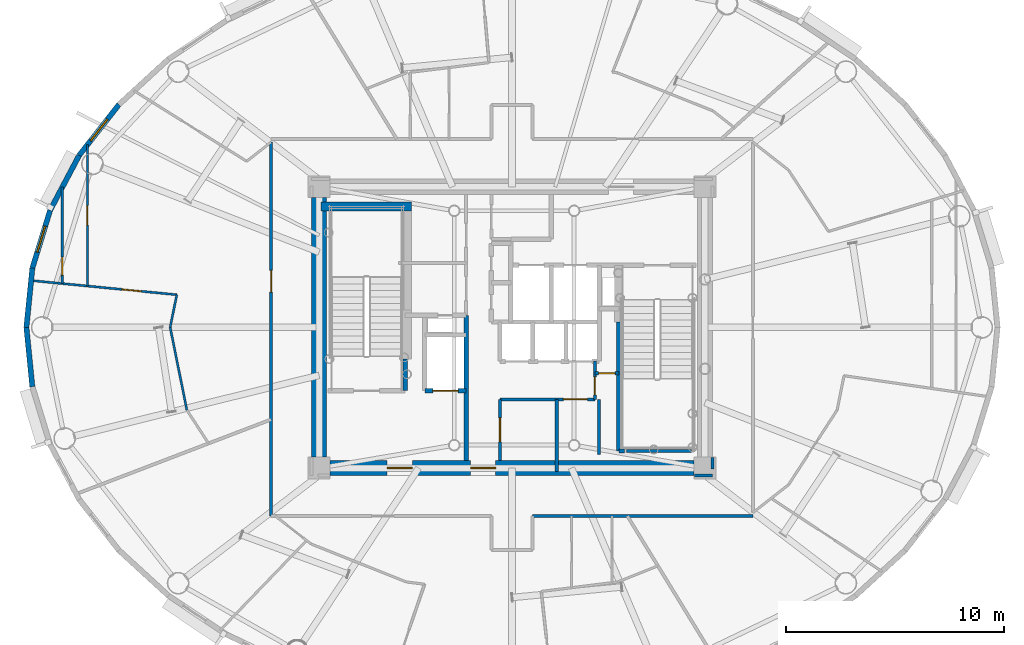
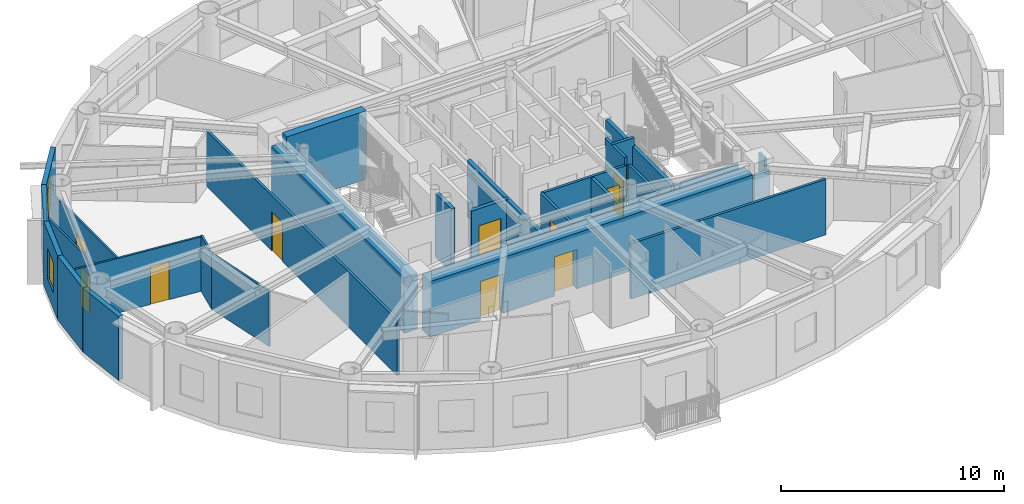
# One storey, part 8 of 20: 29 walls, 11 doors, 2 windows, 13 openings.
"""IFC4 building model written with IfcOpenShell, lengths in metres."""

from ifc_helpers import new_model, si_unit, direction, frame, frame_2d, origin, origin_2d, place, context, subcontext, project, spatial, rectangle, extrude, source, transform, mapped, material, layer, layer_set, type_object, element, fill, save


model = new_model("IFC4")

# Units and contexts
model_context = context("Model", 3, precision=1e-05, world=origin(), true_north=direction((0.0, 1.0)))
body_context = subcontext(model_context, "Body", "Model", "MODEL_VIEW")
ifc_project = project(units=[si_unit("LENGTHUNIT", "METRE"), si_unit("AREAUNIT", "SQUARE_METRE"), si_unit("VOLUMEUNIT", "CUBIC_METRE"), si_unit("PLANEANGLEUNIT", "RADIAN"), si_unit("MASSUNIT", "GRAM", prefix="KILO")], contexts=[model_context])

# Site, building, storey
site_placement = place(None, origin())
site = spatial("IfcSite", under=ifc_project, at=site_placement, CompositionType="ELEMENT")
building_placement = place(site_placement, origin())
building = spatial("IfcBuilding", under=site, at=building_placement, Name="Linh Dai School and Residence Tower", CompositionType="ELEMENT")
storey_placement = place(building_placement, frame((0.0, 0.0, 288.0)))
storey = spatial("IfcBuildingStorey", under=building, at=storey_placement, Name="L71", CompositionType="ELEMENT", Elevation=288.0)

# Wall, opening, window
ifc_material_1 = material(Name="Precast Concrete B45 (C35/45)", Category="concrete")
ifc_layer_1 = layer(ifc_material_1, 0.239990234375)
ifc_layer_set_1 = layer_set([ifc_layer_1], Name="Precast Concrete B45 (C35/45)")
wall_type_1 = type_object("IfcWallType", Name="EW-TC-240", PredefinedType="SOLIDWALL", material=ifc_layer_set_1)
wall_1_placement = place(storey_placement, frame((16.146240234375, 34.894775390625, 0.0), z_axis=(0.0, 0.0, 1.0), x_axis=(0.616337186556, 0.787482363275, 0.0)))
wall_1 = element("IfcWall", 1, at=wall_1_placement, inside=storey, type_object=wall_type_1, Name="L71 Terracotta Exterior Wall 17", PredefinedType="SOLIDWALL", context=body_context, shape_type="SweptSolid", body=[
    extrude(rectangle(XDim=2.95849609375, YDim=0.239990234375, at=frame_2d((1.479248046875, 0.0))), origin(), (0.0, 0.0, 1.0), 3.5),
])
opening_1_placement = place(wall_1_placement, frame((0.854248046875, 0.0, 0.89990234375)))
opening_1 = element("IfcOpeningElement", 2, at=opening_1_placement, cuts=wall_1, Name="Opening W3", PredefinedType="OPENING", context=body_context, shape_type="SweptSolid", body=[
    extrude(rectangle(XDim=1.25, YDim=1.64990234375, at=origin_2d()), frame((0.625, 0.1298828125, 0.824951171875), z_axis=(0.0, -1.0, 0.0), x_axis=(1.0, 0.0, 0.0)), (0.0, 0.0, 1.0), 0.260009765625),
])
ifc_material_2 = material(Name="Double Low-E Insulated Glazing", Category="glass")
window_type = type_object("IfcWindowType", Name="WN-RES-1250x1650", PartitioningType="SINGLE_PANEL", PredefinedType="WINDOW", material=ifc_material_2)
shared_shape_1 = source(origin(), body_context, "Body", "SweptSolid", [
    extrude(rectangle(XDim=1.25, YDim=1.64990234375, at=origin_2d()), frame((0.625, 0.030029296875, 0.824951171875), z_axis=(0.0, -1.0, 0.0), x_axis=(1.0, 0.0, 0.0)), (0.0, 0.0, 1.0), 0.06005859375),
])
window_1_placement = place(opening_1_placement, origin())
window_1 = element("IfcWindow", 3, at=window_1_placement, inside=storey, type_object=window_type, Name="L71 Dwelling Window U7102-LIV", OverallHeight=1.64990234375, OverallWidth=1.25, PartitioningType="SINGLE_PANEL", PredefinedType="WINDOW", context=body_context, shape_type="MappedRepresentation", body=[
    mapped(shared_shape_1, transform((0.0, 0.0, 0.0), x_axis=(1.0, 0.0, 0.0), y_axis=(0.0, 1.0, 0.0), z_axis=(0.0, 0.0, 1.0), scale=1.0)),
])
fill(opening_1, window_1)

# Wall
wall_2_placement = place(storey_placement, frame((14.811767578125, 32.372314453125, 0.0), z_axis=(0.0, 0.0, 1.0), x_axis=(0.467628269026, 0.883925224218, 0.0)))
element("IfcWall", 4, at=wall_2_placement, inside=storey, type_object=wall_type_1, Name="L71 Terracotta Exterior Wall 18", PredefinedType="SOLIDWALL", context=body_context, shape_type="SweptSolid", body=[
    extrude(rectangle(XDim=2.853759765625, YDim=0.239990234375, at=frame_2d((1.4267578125, 0.0))), origin(), (0.0, 0.0, 1.0), 3.5),
])

# Wall, opening, window
wall_3_placement = place(storey_placement, frame((13.998291015625, 29.718994140625, 0.0), z_axis=(0.0, 0.0, 1.0), x_axis=(0.2931213403, 0.956075248012, 0.0)))
wall_3 = element("IfcWall", 5, at=wall_3_placement, inside=storey, type_object=wall_type_1, Name="L71 Terracotta Exterior Wall 19", PredefinedType="SOLIDWALL", context=body_context, shape_type="SweptSolid", body=[
    extrude(rectangle(XDim=2.775146484375, YDim=0.239990234375, at=frame_2d((1.3876953125, 0.0))), origin(), (0.0, 0.0, 1.0), 3.5),
])
opening_2_placement = place(wall_3_placement, frame((0.7626953125, 0.0, 0.89990234375)))
opening_2 = element("IfcOpeningElement", 6, at=opening_2_placement, cuts=wall_3, Name="Opening W3", PredefinedType="OPENING", context=body_context, shape_type="SweptSolid", body=[
    extrude(rectangle(XDim=1.25, YDim=1.64990234375, at=origin_2d()), frame((0.625, 0.1298828125, 0.824951171875), z_axis=(0.0, -1.0, 0.0), x_axis=(1.0, 0.0, 0.0)), (0.0, 0.0, 1.0), 0.260009765625),
])
window_2_placement = place(opening_2_placement, origin())
window_2 = element("IfcWindow", 7, at=window_2_placement, inside=storey, type_object=window_type, Name="L71 Exterior Window 19.1", OverallHeight=1.64990234375, OverallWidth=1.25, PartitioningType="SINGLE_PANEL", PredefinedType="WINDOW", context=body_context, shape_type="MappedRepresentation", body=[
    mapped(shared_shape_1, transform((0.0, 0.0, 0.0), x_axis=(1.0, 0.0, 0.0), y_axis=(0.0, 1.0, 0.0), z_axis=(0.0, 0.0, 1.0), scale=1.0)),
])
fill(opening_2, window_2)

# Walls
for number, where, z_axis, x_axis, name in (
    (8, (13.72509765625, 27.0, 0.0), (0.0, 0.0, 1.0), (0.099972526841, 0.99499019788, 0.0), "L71 Terracotta Exterior Wall 20"),
    (9, (13.998291015625, 24.281005859375, 0.0), (0.0, 0.0, 1.0), (-0.099972526841, 0.99499019788, 0.0), "L71 Terracotta Exterior Wall 21"),
):
    element("IfcWall", number, at=place(storey_placement, frame(where, z_axis=z_axis, x_axis=x_axis)), inside=storey, type_object=wall_type_1, Name=name, PredefinedType="SOLIDWALL", context=body_context, shape_type="SweptSolid", body=[
        extrude(rectangle(XDim=2.732666015625, YDim=0.239990234375, at=frame_2d((1.3662109375, 0.0))), origin(), (0.0, 0.0, 1.0), 3.5),
    ])

# Wall, opening, door
ifc_material_3 = material(Name="Autoclaved Aerated Concrete Blockwork", Category="masonry")
ifc_layer_2 = layer(ifc_material_3, 0.135009765625)
ifc_layer_set_2 = layer_set([ifc_layer_2], Name="Autoclaved Aerated Concrete Blockwork")
wall_type_2 = type_object("IfcWallType", Name="IW-CORR-135-EI90", PredefinedType="PARTITIONING", material=ifc_layer_set_2)
wall_4_placement = place(storey_placement, frame((24.949951171875, 18.35009765625, 0.0), z_axis=(0.0, 0.0, 1.0), x_axis=(0.0, 1.0, 0.0)))
wall_4 = element("IfcWall", 10, at=wall_4_placement, inside=storey, type_object=wall_type_2, Name="L71 Interior Partition Wall 011", PredefinedType="PARTITIONING", context=body_context, shape_type="SweptSolid", body=[
    extrude(rectangle(XDim=17.147216796875, YDim=0.135009765625, at=frame_2d((8.57373046875, 0.0))), origin(), (0.0, 0.0, 1.0), 3.034912109375),
])
opening_3_placement = place(wall_4_placement, frame((10.266845703125, 0.0, 0.0)))
opening_3 = element("IfcOpeningElement", 11, at=opening_3_placement, cuts=wall_4, Name="Opening D03", PredefinedType="OPENING", context=body_context, shape_type="SweptSolid", body=[
    extrude(rectangle(XDim=1.0, YDim=2.14990234375, at=origin_2d()), frame((0.5, 0.07763671875, 1.074951171875), z_axis=(0.0, -1.0, 0.0), x_axis=(1.0, 0.0, 0.0)), (0.0, 0.0, 1.0), 0.155029296875),
])
ifc_material_4 = material(Name="Fire-Rated Solid Timber Entrance Door", Category="wood")
door_type_1 = type_object("IfcDoorType", Name="DR-FLAT-1000x2150-FD60S", OperationType="NOTDEFINED", PredefinedType="DOOR", material=ifc_material_4)
shared_shape_2 = source(origin(), body_context, "Body", "SweptSolid", [
    extrude(rectangle(XDim=1.0, YDim=2.14990234375, at=origin_2d()), frame((0.5, 0.02490234375, 1.074951171875), z_axis=(0.0, -1.0, 0.0), x_axis=(1.0, 0.0, 0.0)), (0.0, 0.0, 1.0), 0.050048828125),
])
door_1_placement = place(opening_3_placement, origin())
door_1 = element("IfcDoor", 12, at=door_1_placement, inside=storey, type_object=door_type_1, Name="L71 U7102 Apartment Entrance Door", OperationType="SINGLE_SWING_RIGHT", OverallHeight=2.14990234375, OverallWidth=1.0, PredefinedType="DOOR", context=body_context, shape_type="MappedRepresentation", body=[
    mapped(shared_shape_2, transform((0.0, 0.0, 0.0), x_axis=(1.0, 0.0, 0.0), y_axis=(0.0, 1.0, 0.0), z_axis=(0.0, 0.0, 1.0), scale=1.0)),
])
fill(opening_3, door_1)

wall_5_placement = place(storey_placement, frame((35.449951171875, 20.89990234375, 0.0), z_axis=(0.0, 0.0, 1.0), x_axis=(0.0, 1.0, 0.0)))
wall_5 = element("IfcWall", 13, at=wall_5_placement, inside=storey, type_object=wall_type_2, Name="L71 Interior Partition Wall 043", PredefinedType="PARTITIONING", context=body_context, shape_type="SweptSolid", body=[
    extrude(rectangle(XDim=2.800048828125, YDim=0.135009765625, at=frame_2d((1.39990234375, 0.0))), origin(), (0.0, 0.0, 1.0), 3.0849609375),
])
opening_4_placement = place(wall_5_placement, frame((0.85009765625, 0.0, 0.0)))
opening_4 = element("IfcOpeningElement", 14, at=opening_4_placement, cuts=wall_5, Name="Opening D07", PredefinedType="OPENING", context=body_context, shape_type="SweptSolid", body=[
    extrude(rectangle(XDim=1.10009765625, YDim=2.14990234375, at=origin_2d()), frame((0.550048828125, 0.07763671875, 1.074951171875), z_axis=(0.0, -1.0, 0.0), x_axis=(1.0, 0.0, 0.0)), (0.0, 0.0, 1.0), 0.155029296875),
])
ifc_material_5 = material(Name="Fire-Rated Louvred Steel Plant Door", Category="steel")
door_type_2 = type_object("IfcDoorType", Name="DR-PLT-1100x2150-FD60S", OperationType="NOTDEFINED", PredefinedType="DOOR", material=ifc_material_5)
shared_shape_3 = source(origin(), body_context, "Body", "SweptSolid", [
    extrude(rectangle(XDim=1.10009765625, YDim=2.14990234375, at=origin_2d()), frame((0.550048828125, 0.02490234375, 1.074951171875), z_axis=(0.0, -1.0, 0.0), x_axis=(1.0, 0.0, 0.0)), (0.0, 0.0, 1.0), 0.050048828125),
])
door_2_placement = place(opening_4_placement, origin())
door_2 = element("IfcDoor", 15, at=door_2_placement, inside=storey, type_object=door_type_2, Name="L71 Floor Electrical Switchroom Door", OperationType="SINGLE_SWING_LEFT", OverallHeight=2.14990234375, OverallWidth=1.10009765625, PredefinedType="DOOR", context=body_context, shape_type="MappedRepresentation", body=[
    mapped(shared_shape_3, transform((0.0, 0.0, 0.0), x_axis=(1.0, 0.0, 0.0), y_axis=(0.0, 1.0, 0.0), z_axis=(0.0, 0.0, 1.0), scale=1.0)),
])
fill(opening_4, door_2)

wall_6_placement = place(storey_placement, frame((35.449951171875, 23.699951171875, 0.0), z_axis=(0.0, 0.0, 1.0), x_axis=(1.0, 0.0, 0.0)))
wall_6 = element("IfcWall", 16, at=wall_6_placement, inside=storey, type_object=wall_type_2, Name="L71 Interior Partition Wall 044", PredefinedType="PARTITIONING", context=body_context, shape_type="SweptSolid", body=[
    extrude(rectangle(XDim=4.35009765625, YDim=0.135009765625, at=frame_2d((2.175048828125, 0.0))), origin(), (0.0, 0.0, 1.0), 3.0849609375),
])
opening_5_placement = place(wall_6_placement, frame((2.905029296875, 0.0, 0.0)))
opening_5 = element("IfcOpeningElement", 17, at=opening_5_placement, cuts=wall_6, Name="Opening D07", PredefinedType="OPENING", context=body_context, shape_type="SweptSolid", body=[
    extrude(rectangle(XDim=1.10009765625, YDim=2.14990234375, at=origin_2d()), frame((0.550048828125, 0.07763671875, 1.074951171875), z_axis=(0.0, -1.0, 0.0), x_axis=(1.0, 0.0, 0.0)), (0.0, 0.0, 1.0), 0.155029296875),
])
door_3_placement = place(opening_5_placement, origin())
door_3 = element("IfcDoor", 18, at=door_3_placement, inside=storey, type_object=door_type_2, Name="L71 Telecom Node Room Door", OperationType="SINGLE_SWING_RIGHT", OverallHeight=2.14990234375, OverallWidth=1.10009765625, PredefinedType="DOOR", context=body_context, shape_type="MappedRepresentation", body=[
    mapped(shared_shape_3, transform((0.0, 0.0, 0.0), x_axis=(1.0, 0.0, 0.0), y_axis=(0.0, 1.0, 0.0), z_axis=(0.0, 0.0, 1.0), scale=1.0)),
])
fill(opening_5, door_3)

# Wall
wall_7_placement = place(storey_placement, frame((36.949951171875, 18.35009765625, 0.0), z_axis=(0.0, 0.0, 1.0), x_axis=(1.0, 0.0, 0.0)))
element("IfcWall", 19, at=wall_7_placement, inside=storey, type_object=wall_type_2, Name="L71 Interior Partition Wall 051", PredefinedType="PARTITIONING", context=body_context, shape_type="SweptSolid", body=[
    extrude(rectangle(XDim=10.10009765625, YDim=0.135009765625, at=frame_2d((5.050048828125, 0.0))), origin(), (0.0, 0.0, 1.0), 3.034912109375),
])

# Wall, opening, door
wall_8_placement = place(storey_placement, frame((39.800048828125, 23.699951171875, 0.0), z_axis=(0.0, 0.0, 1.0), x_axis=(0.0, 1.0, 0.0)))
wall_8 = element("IfcWall", 20, at=wall_8_placement, inside=storey, type_object=wall_type_2, Name="L71 Interior Partition Wall 062", PredefinedType="PARTITIONING", context=body_context, shape_type="SweptSolid", body=[
    extrude(rectangle(XDim=1.75, YDim=0.135009765625, at=frame_2d((0.875, 0.0))), origin(), (0.0, 0.0, 1.0), 3.5),
])
opening_6_placement = place(wall_8_placement, frame((0.2099609375, 0.0, 0.0)))
opening_6 = element("IfcOpeningElement", 21, at=opening_6_placement, cuts=wall_8, Name="Opening D06", PredefinedType="OPENING", context=body_context, shape_type="SweptSolid", body=[
    extrude(rectangle(XDim=0.820068359375, YDim=2.10009765625, at=origin_2d()), frame((0.41015625, 0.07763671875, 1.050048828125), z_axis=(0.0, -1.0, 0.0), x_axis=(1.0, 0.0, 0.0)), (0.0, 0.0, 1.0), 0.155029296875),
])
ifc_material_6 = material(Name="Moisture-Resistant Timber Bathroom Door", Category="wood")
door_type_3 = type_object("IfcDoorType", Name="DR-WET-820x2100", OperationType="NOTDEFINED", PredefinedType="DOOR", material=ifc_material_6)
shared_shape_4 = source(origin(), body_context, "Body", "SweptSolid", [
    extrude(rectangle(XDim=0.820068359375, YDim=2.10009765625, at=origin_2d()), frame((0.41015625, 0.02490234375, 1.050048828125), z_axis=(0.0, -1.0, 0.0), x_axis=(1.0, 0.0, 0.0)), (0.0, 0.0, 1.0), 0.050048828125),
])
door_4_placement = place(opening_6_placement, origin())
door_4 = element("IfcDoor", 22, at=door_4_placement, inside=storey, type_object=door_type_3, Name="L71 SE Electrical Closet Door", OperationType="SINGLE_SWING_RIGHT", OverallHeight=2.10009765625, OverallWidth=0.820068359375, PredefinedType="DOOR", context=body_context, shape_type="MappedRepresentation", body=[
    mapped(shared_shape_4, transform((0.0, 0.0, 0.0), x_axis=(1.0, 0.0, 0.0), y_axis=(0.0, 1.0, 0.0), z_axis=(0.0, 0.0, 1.0), scale=1.0)),
])
fill(opening_6, door_4)

# Walls
wall_9_placement = place(storey_placement, frame((44.239990234375, 21.330078125, 0.0), z_axis=(0.0, 0.0, 1.0), x_axis=(-1.0, 0.0, 0.0)))
element("IfcWall", 23, at=wall_9_placement, inside=storey, type_object=wall_type_2, Name="L71 Interior Partition Wall 087", PredefinedType="PARTITIONING", context=body_context, shape_type="SweptSolid", body=[
    extrude(rectangle(XDim=2.97998046875, YDim=0.135009765625, at=frame_2d((1.489990234375, 0.0))), origin(), (0.0, 0.0, 1.0), 3.034912109375),
])
wall_10_placement = place(storey_placement, frame((40.0, 23.699951171875, 0.0), z_axis=(0.0, 0.0, 1.0), x_axis=(0.0, -1.0, 0.0)))
element("IfcWall", 24, at=wall_10_placement, inside=storey, type_object=wall_type_2, Name="L71 Interior Partition Wall 088", PredefinedType="PARTITIONING", context=body_context, shape_type="SweptSolid", body=[
    extrude(rectangle(XDim=2.5400390625, YDim=0.135009765625, at=frame_2d((1.27001953125, 0.0))), origin(), (0.0, 0.0, 1.0), 3.034912109375),
])
wall_11_placement = place(storey_placement, frame((44.360107421875, 20.199951171875, 0.0), z_axis=(0.0, 0.0, 1.0), x_axis=(1.0, 0.0, 0.0)))
element("IfcWall", 25, at=wall_11_placement, inside=storey, type_object=wall_type_2, Name="L71 Interior Partition Wall 094", PredefinedType="PARTITIONING", context=body_context, shape_type="SweptSolid", body=[
    extrude(rectangle(XDim=0.83984375, YDim=0.135009765625, at=frame_2d((0.419921875, 0.0))), origin(), (0.0, 0.0, 1.0), 3.034912109375),
])
wall_12_placement = place(storey_placement, frame((45.199951171875, 20.507568359375, 0.0), z_axis=(0.0, 0.0, 1.0), x_axis=(0.0, 1.0, 0.0)))
element("IfcWall", 26, at=wall_12_placement, inside=storey, type_object=wall_type_2, Name="L71 Interior Partition Wall 095", PredefinedType="PARTITIONING", context=body_context, shape_type="SweptSolid", body=[
    extrude(rectangle(XDim=0.532470703125, YDim=0.135009765625, at=frame_2d((0.26611328125, 0.0))), origin(), (0.0, 0.0, 1.0), 3.5),
])
ifc_layer_3 = layer(ifc_material_3, 0.14990234375)
ifc_layer_set_3 = layer_set([ifc_layer_3], Name="Autoclaved Aerated Concrete Blockwork")
wall_type_3 = type_object("IfcWallType", Name="IW-SCH-150-EI60", PredefinedType="PARTITIONING", material=ifc_layer_set_3)
wall_13_placement = place(storey_placement, frame((38.050048828125, 20.3798828125, 0.0), z_axis=(0.0, 0.0, 1.0), x_axis=(0.0, 1.0, 0.0)))
element("IfcWall", 27, at=wall_13_placement, inside=storey, type_object=wall_type_3, Name="L71 Interior Partition Wall 059", PredefinedType="PARTITIONING", context=body_context, shape_type="SweptSolid", body=[
    extrude(rectangle(XDim=3.320068359375, YDim=0.14990234375, at=frame_2d((1.66015625, 0.0))), origin(), (0.0, 0.0, 1.0), 3.034912109375),
])

# Wall, opening, door
wall_14_placement = place(storey_placement, frame((39.800048828125, 24.89990234375, 0.0), z_axis=(0.0, 0.0, 1.0), x_axis=(1.0, 0.0, 0.0)))
wall_14 = element("IfcWall", 28, at=wall_14_placement, inside=storey, type_object=wall_type_3, Name="L71 Interior Partition Wall 063", PredefinedType="PARTITIONING", context=body_context, shape_type="SweptSolid", body=[
    extrude(rectangle(XDim=1.099853515625, YDim=0.14990234375, at=frame_2d((0.5498046875, 0.0))), origin(), (0.0, 0.0, 1.0), 3.5),
])
opening_7_placement = place(wall_14_placement, frame((0.169921875, 0.0, 0.0)))
opening_7 = element("IfcOpeningElement", 29, at=opening_7_placement, cuts=wall_14, Name="Opening D08", PredefinedType="OPENING", context=body_context, shape_type="SweptSolid", body=[
    extrude(rectangle(XDim=0.760009765625, YDim=2.10009765625, at=origin_2d()), frame((0.3798828125, 0.0849609375, 1.050048828125), z_axis=(0.0, -1.0, 0.0), x_axis=(1.0, 0.0, 0.0)), (0.0, 0.0, 1.0), 0.169921875),
])
ifc_material_7 = material(Name="Engineered Timber Closet and Study Door", Category="wood")
door_type_4 = type_object("IfcDoorType", Name="DR-CMP-760x2100", OperationType="NOTDEFINED", PredefinedType="DOOR", material=ifc_material_7)
shared_shape_5 = source(origin(), body_context, "Body", "SweptSolid", [
    extrude(rectangle(XDim=0.760009765625, YDim=2.10009765625, at=origin_2d()), frame((0.3798828125, 0.02490234375, 1.050048828125), z_axis=(0.0, -1.0, 0.0), x_axis=(1.0, 0.0, 0.0)), (0.0, 0.0, 1.0), 0.050048828125),
])
door_5_placement = place(opening_7_placement, origin())
door_5 = element("IfcDoor", 30, at=door_5_placement, inside=storey, type_object=door_type_4, Name="L71 NE Equipment Store Door", OperationType="SINGLE_SWING_LEFT", OverallHeight=2.10009765625, OverallWidth=0.760009765625, PredefinedType="DOOR", context=body_context, shape_type="MappedRepresentation", body=[
    mapped(shared_shape_5, transform((0.0, 0.0, 0.0), x_axis=(1.0, 0.0, 0.0), y_axis=(0.0, 1.0, 0.0), z_axis=(0.0, 0.0, 1.0), scale=1.0)),
])
fill(opening_7, door_5)

# Wall
ifc_material_8 = material(Name="Concrete B45 (C35/45)", Category="concrete")
ifc_layer_4 = layer(ifc_material_8, 0.199951171875)
ifc_layer_set_4 = layer_set([ifc_layer_4], Name="Concrete B45 (C35/45)")
wall_type_4 = type_object("IfcWallType", Name="IW-SHAFT-200-EI120", PredefinedType="PARTITIONING", material=ifc_layer_set_4)
wall_15_placement = place(storey_placement, frame((31.10009765625, 24.10009765625, 0.0), z_axis=(0.0, 0.0, 1.0), x_axis=(0.0, 1.0, 0.0)))
element("IfcWall", 31, at=wall_15_placement, inside=storey, type_object=wall_type_4, Name="L71 Interior Partition Wall 021", PredefinedType="PARTITIONING", context=body_context, shape_type="SweptSolid", body=[
    extrude(rectangle(XDim=1.43994140625, YDim=0.199951171875, at=frame_2d((0.719970703125, 0.0))), origin(), (0.0, 0.0, 1.0), 3.5),
])

# Wall, opening, door
wall_16_placement = place(storey_placement, frame((32.0, 24.10009765625, 0.0), z_axis=(0.0, 0.0, 1.0), x_axis=(1.0, 0.0, 0.0)))
wall_16 = element("IfcWall", 32, at=wall_16_placement, inside=storey, type_object=wall_type_4, Name="L71 Interior Partition Wall 027", PredefinedType="PARTITIONING", context=body_context, shape_type="SweptSolid", body=[
    extrude(rectangle(XDim=1.89990234375, YDim=0.199951171875, at=frame_2d((0.949951171875, 0.0))), origin(), (0.0, 0.0, 1.0), 3.0849609375),
])
opening_8_placement = place(wall_16_placement, frame((0.375, 0.0, 0.0)))
opening_8 = element("IfcOpeningElement", 33, at=opening_8_placement, cuts=wall_16, Name="Opening LD-FF2", PredefinedType="OPENING", context=body_context, shape_type="SweptSolid", body=[
    extrude(rectangle(XDim=1.14990234375, YDim=2.14990234375, at=origin_2d()), frame((0.574951171875, 0.10986328125, 1.074951171875), z_axis=(0.0, -1.0, 0.0), x_axis=(1.0, 0.0, 0.0)), (0.0, 0.0, 1.0), 0.219970703125),
])
ifc_material_9 = material(Name="Fire-Rated Stainless Steel Firefighting Lift Door", Category="steel")
door_type_5 = type_object("IfcDoorType", Name="DR-LD-FF-1150x2150-FD120", OperationType="DOUBLE_DOOR_SLIDING", PredefinedType="USERDEFINED", material=ifc_material_9)
shared_shape_6 = source(origin(), body_context, "Body", "SweptSolid", [
    extrude(rectangle(XDim=1.14990234375, YDim=2.14990234375, at=origin_2d()), frame((0.574951171875, 0.02490234375, 1.074951171875), z_axis=(0.0, -1.0, 0.0), x_axis=(1.0, 0.0, 0.0)), (0.0, 0.0, 1.0), 0.050048828125),
])
door_6_placement = place(opening_8_placement, origin())
door_6 = element("IfcDoor", 34, at=door_6_placement, inside=storey, type_object=door_type_5, Name="L71 Lift FF2 Sliding Landing Door", ObjectType="LANDING DOOR", OperationType="DOUBLE_DOOR_SLIDING", OverallHeight=2.14990234375, OverallWidth=1.14990234375, PredefinedType="USERDEFINED", context=body_context, shape_type="MappedRepresentation", body=[
    mapped(shared_shape_6, transform((0.0, 0.0, 0.0), x_axis=(1.0, 0.0, 0.0), y_axis=(0.0, 1.0, 0.0), z_axis=(0.0, 0.0, 1.0), scale=1.0)),
])
fill(opening_8, door_6)

# Walls
wall_17_placement = place(storey_placement, frame((33.89990234375, 20.89990234375, 0.0), z_axis=(0.0, 0.0, 1.0), x_axis=(0.0, 1.0, 0.0)))
element("IfcWall", 35, at=wall_17_placement, inside=storey, type_object=wall_type_4, Name="L71 Interior Partition Wall 030", PredefinedType="PARTITIONING", context=body_context, shape_type="SweptSolid", body=[
    extrude(rectangle(XDim=6.650146484375, YDim=0.199951171875, at=frame_2d((3.3251953125, 0.0))), origin(), (0.0, 0.0, 1.0), 3.0849609375),
])
wall_18_placement = place(storey_placement, frame((40.89990234375, 21.330078125, 0.0), z_axis=(0.0, 0.0, 1.0), x_axis=(0.0, 1.0, 0.0)))
element("IfcWall", 36, at=wall_18_placement, inside=storey, type_object=wall_type_4, Name="L71 Interior Partition Wall 071", PredefinedType="PARTITIONING", context=body_context, shape_type="SweptSolid", body=[
    extrude(rectangle(XDim=5.909912109375, YDim=0.199951171875, at=frame_2d((2.955078125, 0.0))), origin(), (0.0, 0.0, 1.0), 3.034912109375),
])
wall_19_placement = place(storey_placement, frame((40.89990234375, 21.330078125, 0.0), z_axis=(0.0, 0.0, 1.0), x_axis=(1.0, 0.0, 0.0)))
element("IfcWall", 37, at=wall_19_placement, inside=storey, type_object=wall_type_4, Name="L71 Interior Partition Wall 072", PredefinedType="PARTITIONING", context=body_context, shape_type="SweptSolid", body=[
    extrude(rectangle(XDim=0.25, YDim=0.199951171875, at=frame_2d((0.125, 0.0))), origin(), (0.0, 0.0, 1.0), 3.034912109375),
])

# Wall, opening, door
ifc_material_10 = material(Name="Gypsum Plasterboard Acoustic Stud Partition", Category="masonry")
ifc_layer_5 = layer(ifc_material_10, 0.10009765625)
ifc_layer_set_5 = layer_set([ifc_layer_5], Name="Gypsum Plasterboard Acoustic Stud Partition")
wall_type_5 = type_object("IfcWallType", Name="IW-UNIT-100", PredefinedType="PARTITIONING", material=ifc_layer_set_5)
wall_20_placement = place(storey_placement, frame((13.936279296875, 29.15087890625, 0.0), z_axis=(0.0, 0.0, 1.0), x_axis=(0.995282339379, -0.097020950936, 0.0)))
wall_20 = element("IfcWall", 38, at=wall_20_placement, inside=storey, type_object=wall_type_5, Name="L71 Interior Partition Wall 001", PredefinedType="PARTITIONING", context=body_context, shape_type="SweptSolid", body=[
    extrude(rectangle(XDim=6.71875, YDim=0.10009765625, at=frame_2d((3.359375, 0.0))), origin(), (0.0, 0.0, 1.0), 2.985107421875),
])
opening_9_placement = place(wall_20_placement, frame((4.187744140625, 0.0, 0.0)))
opening_9 = element("IfcOpeningElement", 39, at=opening_9_placement, cuts=wall_20, Name="Opening D05", PredefinedType="OPENING", context=body_context, shape_type="SweptSolid", body=[
    extrude(rectangle(XDim=0.89990234375, YDim=2.10009765625, at=origin_2d()), frame((0.449951171875, 0.06005859375, 1.050048828125), z_axis=(0.0, -1.0, 0.0), x_axis=(1.0, 0.0, 0.0)), (0.0, 0.0, 1.0), 0.1201171875),
])
ifc_material_11 = material(Name="Engineered Timber Internal Door", Category="wood")
door_type_6 = type_object("IfcDoorType", Name="DR-INT-900x2100", OperationType="NOTDEFINED", PredefinedType="DOOR", material=ifc_material_11)
shared_shape_7 = source(origin(), body_context, "Body", "SweptSolid", [
    extrude(rectangle(XDim=0.89990234375, YDim=2.10009765625, at=origin_2d()), frame((0.449951171875, 0.02490234375, 1.050048828125), z_axis=(0.0, -1.0, 0.0), x_axis=(1.0, 0.0, 0.0)), (0.0, 0.0, 1.0), 0.050048828125),
])
door_7_placement = place(opening_9_placement, origin())
door_7 = element("IfcDoor", 40, at=door_7_placement, inside=storey, type_object=door_type_6, Name="L71 Apartment U7102 Principal Bedroom 2 Door", OperationType="SINGLE_SWING_RIGHT", OverallHeight=2.10009765625, OverallWidth=0.89990234375, PredefinedType="DOOR", context=body_context, shape_type="MappedRepresentation", body=[
    mapped(shared_shape_7, transform((0.0, 0.0, 0.0), x_axis=(1.0, 0.0, 0.0), y_axis=(0.0, 1.0, 0.0), z_axis=(0.0, 0.0, 1.0), scale=1.0)),
])
fill(opening_9, door_7)

wall_21_placement = place(storey_placement, frame((15.37109375, 29.010986328125, 0.0), z_axis=(0.0, 0.0, 1.0), x_axis=(0.0, 1.0, 0.0)))
wall_21 = element("IfcWall", 41, at=wall_21_placement, inside=storey, type_object=wall_type_5, Name="L71 Interior Partition Wall 002", PredefinedType="PARTITIONING", context=body_context, shape_type="SweptSolid", body=[
    extrude(rectangle(XDim=4.42919921875, YDim=0.10009765625, at=frame_2d((2.214599609375, 0.0))), origin(), (0.0, 0.0, 1.0), 2.985107421875),
])
opening_10_placement = place(wall_21_placement, frame((0.389404296875, 0.0, 0.0)))
opening_10 = element("IfcOpeningElement", 42, at=opening_10_placement, cuts=wall_21, Name="Opening D06", PredefinedType="OPENING", context=body_context, shape_type="SweptSolid", body=[
    extrude(rectangle(XDim=0.820068359375, YDim=2.10009765625, at=origin_2d()), frame((0.41015625, 0.06005859375, 1.050048828125), z_axis=(0.0, -1.0, 0.0), x_axis=(1.0, 0.0, 0.0)), (0.0, 0.0, 1.0), 0.1201171875),
])
door_8_placement = place(opening_10_placement, origin())
door_8 = element("IfcDoor", 43, at=door_8_placement, inside=storey, type_object=door_type_3, Name="L71 Apartment U7102 Bathroom 1 Door", OperationType="SINGLE_SWING_RIGHT", OverallHeight=2.10009765625, OverallWidth=0.820068359375, PredefinedType="DOOR", context=body_context, shape_type="MappedRepresentation", body=[
    mapped(shared_shape_4, transform((0.0, 0.0, 0.0), x_axis=(1.0, 0.0, 0.0), y_axis=(0.0, 1.0, 0.0), z_axis=(0.0, 0.0, 1.0), scale=1.0)),
])
fill(opening_10, door_8)

wall_22_placement = place(storey_placement, frame((16.5205078125, 28.89892578125, 0.0), z_axis=(0.0, 0.0, 1.0), x_axis=(0.0, 1.0, 0.0)))
wall_22 = element("IfcWall", 44, at=wall_22_placement, inside=storey, type_object=wall_type_5, Name="L71 Interior Partition Wall 004", PredefinedType="PARTITIONING", context=body_context, shape_type="SweptSolid", body=[
    extrude(rectangle(XDim=6.482421875, YDim=0.10009765625, at=frame_2d((3.2412109375, 0.0))), origin(), (0.0, 0.0, 1.0), 2.985107421875),
])
opening_11_placement = place(wall_22_placement, frame((2.791259765625, 0.0, 0.0)))
opening_11 = element("IfcOpeningElement", 45, at=opening_11_placement, cuts=wall_22, Name="Opening D05", PredefinedType="OPENING", context=body_context, shape_type="SweptSolid", body=[
    extrude(rectangle(XDim=0.89990234375, YDim=2.10009765625, at=origin_2d()), frame((0.449951171875, 0.06005859375, 1.050048828125), z_axis=(0.0, -1.0, 0.0), x_axis=(1.0, 0.0, 0.0)), (0.0, 0.0, 1.0), 0.1201171875),
])
door_9_placement = place(opening_11_placement, origin())
door_9 = element("IfcDoor", 46, at=door_9_placement, inside=storey, type_object=door_type_6, Name="L71 Apartment U7102 Kitchen Door", OperationType="SINGLE_SWING_LEFT", OverallHeight=2.10009765625, OverallWidth=0.89990234375, PredefinedType="DOOR", context=body_context, shape_type="MappedRepresentation", body=[
    mapped(shared_shape_7, transform((0.0, 0.0, 0.0), x_axis=(1.0, 0.0, 0.0), y_axis=(0.0, 1.0, 0.0), z_axis=(0.0, 0.0, 1.0), scale=1.0)),
])
fill(opening_11, door_9)

# Walls
wall_23_placement = place(storey_placement, frame((20.320068359375, 27.0, 0.0), z_axis=(0.0, 0.0, 1.0), x_axis=(0.198264574188, 0.98014853906, 0.0)))
element("IfcWall", 47, at=wall_23_placement, inside=storey, type_object=wall_type_5, Name="L71 Interior Partition Wall 006", PredefinedType="PARTITIONING", context=body_context, shape_type="SweptSolid", body=[
    extrude(rectangle(XDim=1.529296875, YDim=0.10009765625, at=frame_2d((0.7646484375, 0.0))), origin(), (0.0, 0.0, 1.0), 3.034912109375),
])
wall_24_placement = place(storey_placement, frame((20.320068359375, 27.0, 0.0), z_axis=(0.0, 0.0, 1.0), x_axis=(0.198226068862, -0.980156327135, 0.0)))
element("IfcWall", 48, at=wall_24_placement, inside=storey, type_object=wall_type_5, Name="L71 Interior Partition Wall 007", PredefinedType="PARTITIONING", context=body_context, shape_type="SweptSolid", body=[
    extrude(rectangle(XDim=3.87109375, YDim=0.10009765625, at=frame_2d((1.935546875, 0.0))), origin(), (0.0, 0.0, 1.0), 3.034912109375),
])
ifc_layer_6 = layer(ifc_material_8, 0.39990234375)
ifc_layer_set_6 = layer_set([ifc_layer_6], Name="Concrete B45 (C35/45)")
wall_type_6 = type_object("IfcWallType", Name="WL-CORE400", PredefinedType="SHEAR", material=ifc_layer_set_6)
wall_25_placement = place(storey_placement, frame((27.25, 32.550048828125, 0.0), z_axis=(0.0, 0.0, 1.0), x_axis=(1.0, 0.0, 0.0)))
element("IfcWall", 49, at=wall_25_placement, inside=storey, type_object=wall_type_6, Name="L71 Core Stair ST1 Bearing Wall N", PredefinedType="SHEAR", context=body_context, shape_type="SweptSolid", body=[
    extrude(rectangle(XDim=4.1298828125, YDim=0.39990234375, at=frame_2d((2.06494140625, 0.0))), origin(), (0.0, 0.0, 1.0), 3.75),
])

# Wall, openings, doors
ifc_layer_7 = layer(ifc_material_8, 0.699951171875)
ifc_layer_set_7 = layer_set([ifc_layer_7], Name="Concrete B45 (C35/45)")
wall_type_7 = type_object("IfcWallType", Name="WL-CORE700", PredefinedType="SHEAR", material=ifc_layer_set_7)
wall_26_placement = place(storey_placement, frame((44.35009765625, 20.550048828125, 0.0), z_axis=(0.0, 0.0, 1.0), x_axis=(-1.0, 0.0, 0.0)))
wall_26 = element("IfcWall", 50, at=wall_26_placement, inside=storey, type_object=wall_type_7, Name="L71 Central Core Shear Wall S", PredefinedType="SHEAR", context=body_context, shape_type="SweptSolid", body=[
    extrude(rectangle(XDim=16.7001953125, YDim=0.699951171875, at=frame_2d((8.35009765625, 0.0))), origin(), (0.0, 0.0, 1.0), 3.050048828125),
])
opening_12_placement = place(wall_26_placement, frame((12.925048828125, 0.0, 0.0)))
opening_12 = element("IfcOpeningElement", 51, at=opening_12_placement, cuts=wall_26, Name="Opening D02", PredefinedType="OPENING", context=body_context, shape_type="SweptSolid", body=[
    extrude(rectangle(XDim=1.14990234375, YDim=2.14990234375, at=origin_2d()), frame((0.574951171875, 0.35986328125, 1.074951171875), z_axis=(0.0, -1.0, 0.0), x_axis=(1.0, 0.0, 0.0)), (0.0, 0.0, 1.0), 0.719970703125),
])
opening_13_placement = place(wall_26_placement, frame((9.10009765625, 0.0, 0.0)))
opening_13 = element("IfcOpeningElement", 52, at=opening_13_placement, cuts=wall_26, Name="Opening D02", PredefinedType="OPENING", context=body_context, shape_type="SweptSolid", body=[
    extrude(rectangle(XDim=1.14990234375, YDim=2.14990234375, at=origin_2d()), frame((0.574951171875, 0.35986328125, 1.074951171875), z_axis=(0.0, -1.0, 0.0), x_axis=(1.0, 0.0, 0.0)), (0.0, 0.0, 1.0), 0.719970703125),
])
ifc_material_12 = material(Name="Fire-Rated Glazed Steel Lobby Door", Category="steel")
door_type_7 = type_object("IfcDoorType", Name="DR-LOBBY-1150x2150-FD90S", OperationType="NOTDEFINED", PredefinedType="DOOR", material=ifc_material_12)
shared_shape_8 = source(origin(), body_context, "Body", "SweptSolid", [
    extrude(rectangle(XDim=1.14990234375, YDim=2.14990234375, at=origin_2d()), frame((0.574951171875, 0.02490234375, 1.074951171875), z_axis=(0.0, -1.0, 0.0), x_axis=(1.0, 0.0, 0.0)), (0.0, 0.0, 1.0), 0.050048828125),
])
door_10_placement = place(opening_12_placement, origin())
door_10 = element("IfcDoor", 53, at=door_10_placement, inside=storey, type_object=door_type_7, Name="L71 Firefighting Lobby Door", OperationType="SINGLE_SWING_RIGHT", OverallHeight=2.14990234375, OverallWidth=1.14990234375, PredefinedType="DOOR", context=body_context, shape_type="MappedRepresentation", body=[
    mapped(shared_shape_8, transform((0.0, 0.0, 0.0), x_axis=(1.0, 0.0, 0.0), y_axis=(0.0, 1.0, 0.0), z_axis=(0.0, 0.0, 1.0), scale=1.0)),
])
fill(opening_12, door_10)
door_11_placement = place(opening_13_placement, origin())
door_11 = element("IfcDoor", 54, at=door_11_placement, inside=storey, type_object=door_type_7, Name="L71 Passenger Foyer Access Door", OperationType="SINGLE_SWING_RIGHT", OverallHeight=2.14990234375, OverallWidth=1.14990234375, PredefinedType="DOOR", context=body_context, shape_type="MappedRepresentation", body=[
    mapped(shared_shape_8, transform((0.0, 0.0, 0.0), x_axis=(1.0, 0.0, 0.0), y_axis=(0.0, 1.0, 0.0), z_axis=(0.0, 0.0, 1.0), scale=1.0)),
])
fill(opening_13, door_11)

# Wall
wall_27_placement = place(storey_placement, frame((27.14990234375, 21.050048828125, 0.0), z_axis=(0.0, 0.0, 1.0), x_axis=(0.0, 1.0, 0.0)))
element("IfcWall", 55, at=wall_27_placement, inside=storey, type_object=wall_type_7, Name="L71 Central Core Shear Wall W", PredefinedType="SHEAR", context=body_context, shape_type="SweptSolid", body=[
    extrude(rectangle(XDim=11.89990234375, YDim=0.699951171875, at=frame_2d((5.949951171875, 0.0))), origin(), (0.0, 0.0, 1.0), 3.050048828125),
])

save(model, "model.ifc")
